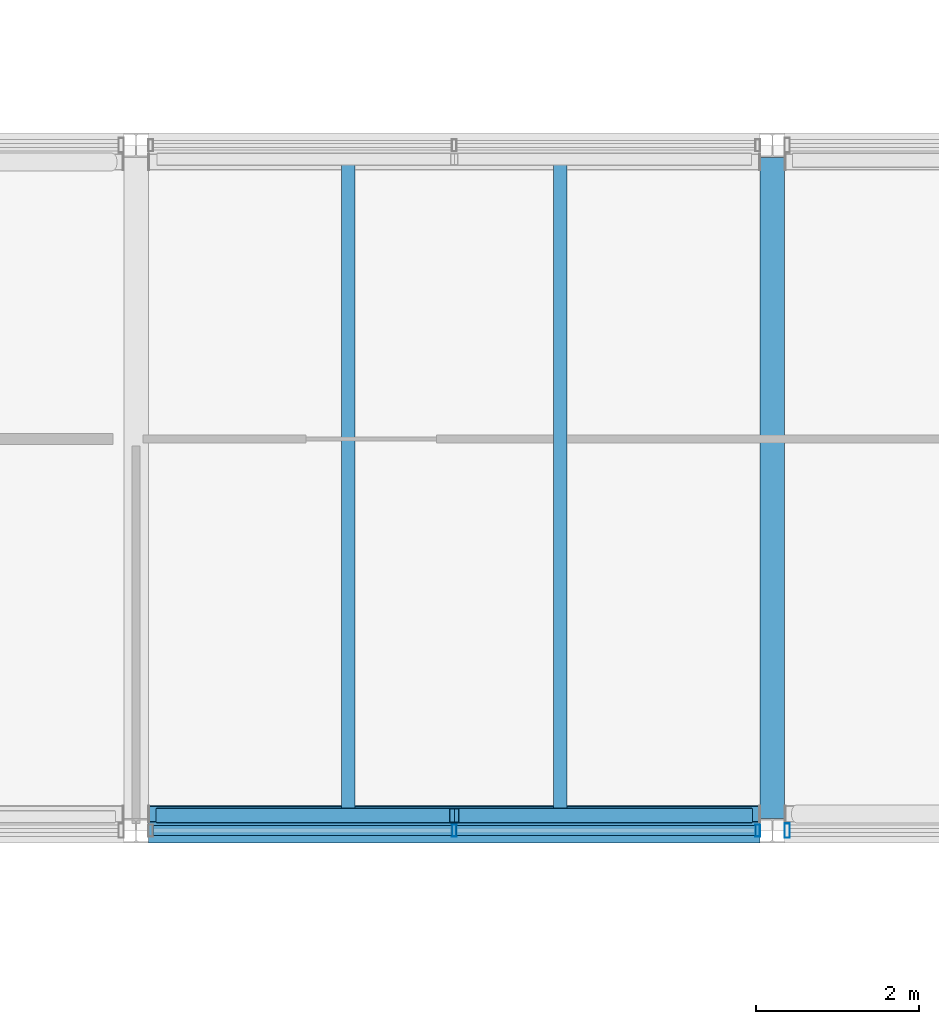
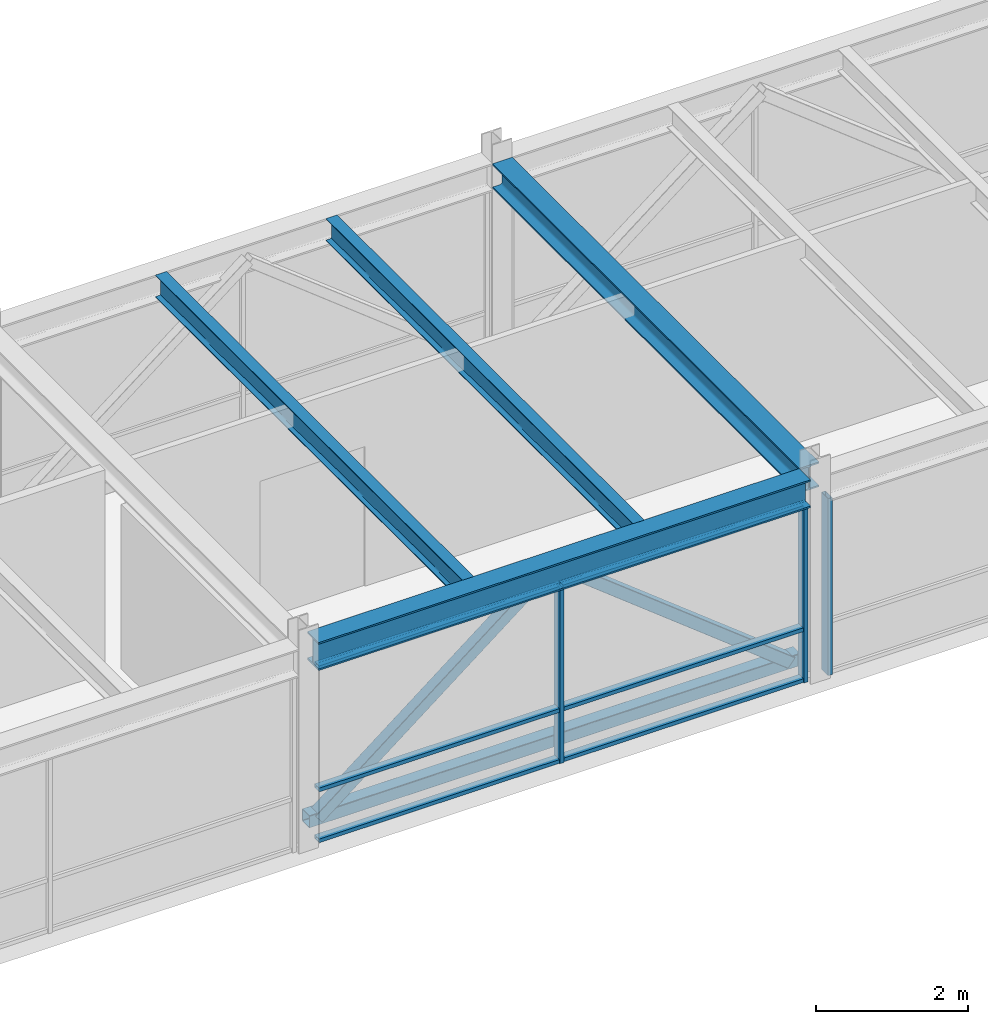
# One storey, part 16 of 49: 12 members, 4 beams, 2 elements without a shape of their own.
"""IFC4 building model written with IfcOpenShell, lengths in metres."""

from ifc_helpers import new_model, si_unit, direction, frame, origin, origin_2d, place, context, subcontext, project, spatial, hollow_rectangle, i_section, extrude, material, material_profile, profile_set, type_object, element, aggregate, save


model = new_model("IFC4")

# Units and contexts
model_context = context("Model", 3, precision=1e-05, world=origin(), true_north=direction((0.0, 1.0)))
body_context = subcontext(model_context, "Body", "Model", "MODEL_VIEW")
ifc_project = project(units=[si_unit("LENGTHUNIT", "METRE"), si_unit("AREAUNIT", "SQUARE_METRE"), si_unit("VOLUMEUNIT", "CUBIC_METRE"), si_unit("PLANEANGLEUNIT", "RADIAN"), si_unit("MASSUNIT", "GRAM", prefix="KILO"), si_unit("THERMODYNAMICTEMPERATUREUNIT", "KELVIN"), si_unit("POWERUNIT", "WATT")], contexts=[model_context])

# Site, building, storey
site_placement = place(None, origin())
site = spatial("IfcSite", under=ifc_project, at=site_placement, CompositionType="ELEMENT")
building_placement = place(site_placement, origin())
building = spatial("IfcBuilding", under=site, at=building_placement, Name="Srebrne Nadtorze General Hospital", CompositionType="ELEMENT")
storey_placement = place(building_placement, frame((0.0, 0.0, 26.10009765625)))
storey = spatial("IfcBuildingStorey", under=building, at=storey_placement, Name="L06", CompositionType="ELEMENT", Elevation=26.10009765625)

# Beams
ifc_material_1 = material(Name="Steel S355J2", Category="steel")
ifc_material_profile_1 = material_profile(ifc_material_1, i_section(OverallWidth=0.300048828125, OverallDepth=0.39990234375, WebThickness=0.013427734375, FlangeThickness=0.02392578125, FilletRadius=0.027099609375, at=origin_2d()), Name="HEB-400")
ifc_profile_set_1 = profile_set([ifc_material_profile_1], Name="Steel S355J2")
beam_type_1 = type_object("IfcBeamType", Name="Courtyard bridge girder HEB 400", PredefinedType="BEAM", material=ifc_profile_set_1)
beam_1_placement = place(storey_placement, frame((78.0, 50.550048828125, 3.099853515625), z_axis=(0.0, 1.0, 0.0), x_axis=(-1.0, 0.0, 0.0)))
element("IfcBeam", 1, at=beam_1_placement, inside=storey, type_object=beam_type_1, Name="Beam BM-L06-Y-1219", PredefinedType="BEAM", context=body_context, shape_type="SweptSolid", body=[
    extrude(i_section(OverallWidth=0.300048828125, OverallDepth=0.39990234375, WebThickness=0.013427734375, FlangeThickness=0.02392578125, FilletRadius=0.027099609375, at=origin_2d()), origin(), (0.0, 0.0, 1.0), 8.099853515625),
])
ifc_material_2 = material(Name="Steel S355J2", Category="steel")
ifc_material_profile_2 = material_profile(ifc_material_2, i_section(OverallWidth=0.300048828125, OverallDepth=0.449951171875, WebThickness=0.013916015625, FlangeThickness=0.02587890625, FilletRadius=0.027099609375, at=origin_2d()), Name="HEB-450")
ifc_profile_set_2 = profile_set([ifc_material_profile_2], Name="Steel S355J2")
beam_type_2 = type_object("IfcBeamType", Name="Courtyard bridge girder HEB 450", PredefinedType="BEAM", material=ifc_profile_set_2)
beam_2_placement = place(storey_placement, frame((70.35009765625, 50.39990234375, 3.074951171875), z_axis=(1.0, 0.0, 0.0), x_axis=(0.0, 1.0, 0.0)))
element("IfcBeam", 2, at=beam_2_placement, inside=storey, type_object=beam_type_2, Name="Beam BM-L06-X-1156", PredefinedType="BEAM", context=body_context, shape_type="SweptSolid", body=[
    extrude(i_section(OverallWidth=0.300048828125, OverallDepth=0.449951171875, WebThickness=0.013916015625, FlangeThickness=0.02587890625, FilletRadius=0.027099609375, at=origin_2d()), origin(), (0.0, 0.0, 1.0), 7.5),
])

# Curtain wall, members
ifc_material_3 = material(Name="Anodised Aluminium", Category="aluminium")
curtain_wall_type = type_object("IfcCurtainWallType", Name="Bridge curtain wall 7500x2850", PredefinedType="NOTDEFINED", material=ifc_material_3)
curtain_wall_1_placement = place(storey_placement, origin())
curtain_wall_1 = element("IfcCurtainWall", 3, at=curtain_wall_1_placement, inside=storey, type_object=curtain_wall_type, Name="Curtain wall CW-140", PredefinedType="NOTDEFINED")
ifc_material_4 = material(Name="Anodised Aluminium", Category="aluminium")
ifc_material_profile_3 = material_profile(ifc_material_4, hollow_rectangle(XDim=0.06005859375, YDim=0.14990234375, WallThickness=0.00390625, at=origin_2d()), Name="AL-MUL-60x150")
ifc_profile_set_3 = profile_set([ifc_material_profile_3], Name="Anodised Aluminium")
member_type_1 = type_object("IfcMemberType", Name="Curtain mullion 60x150", PredefinedType="MULLION", material=ifc_profile_set_3)
member_1_placement = place(storey_placement, frame((74.10009765625, 50.39990234375, 0.0), z_axis=(0.0, 0.0, 1.0), x_axis=(1.0, 0.0, 0.0)))
member_1 = element("IfcMember", 4, at=member_1_placement, type_object=member_type_1, Name="CW-140 mullion 2", PredefinedType="MULLION", context=body_context, shape_type="SweptSolid", body=[
    extrude(hollow_rectangle(XDim=0.06005859375, YDim=0.14990234375, WallThickness=0.00390625, at=origin_2d()), origin(), (0.0, 0.0, 1.0), 2.849853515625),
])
member_2_placement = place(storey_placement, frame((77.820068359375, 50.39990234375, 0.0), z_axis=(0.0, 0.0, 1.0), x_axis=(1.0, 0.0, 0.0)))
member_2 = element("IfcMember", 5, at=member_2_placement, type_object=member_type_1, Name="CW-140 mullion 3", PredefinedType="MULLION", context=body_context, shape_type="SweptSolid", body=[
    extrude(hollow_rectangle(XDim=0.06005859375, YDim=0.14990234375, WallThickness=0.00390625, at=origin_2d()), origin(), (0.0, 0.0, 1.0), 2.849853515625),
])

# Curtain wall, member
curtain_wall_2_placement = place(storey_placement, origin())
curtain_wall_2 = element("IfcCurtainWall", 6, at=curtain_wall_2_placement, inside=storey, type_object=curtain_wall_type, Name="Curtain wall CW-141", PredefinedType="NOTDEFINED")
ifc_material_5 = material(Name="Anodised Aluminium", Category="aluminium")
ifc_material_profile_4 = material_profile(ifc_material_5, hollow_rectangle(XDim=0.06494140625, YDim=0.179931640625, WallThickness=0.00390625, at=origin_2d()), Name="AL-MUL-65x180")
ifc_profile_set_4 = profile_set([ifc_material_profile_4], Name="Anodised Aluminium")
member_type_2 = type_object("IfcMemberType", Name="Curtain mullion 65x180", PredefinedType="MULLION", material=ifc_profile_set_4)
member_3_placement = place(storey_placement, frame((78.1826171875, 50.39990234375, 0.0), z_axis=(0.0, 0.0, 1.0), x_axis=(1.0, 0.0, 0.0)))
member_3 = element("IfcMember", 7, at=member_3_placement, type_object=member_type_2, Name="CW-141 mullion 1", PredefinedType="MULLION", context=body_context, shape_type="SweptSolid", body=[
    extrude(hollow_rectangle(XDim=0.06494140625, YDim=0.179931640625, WallThickness=0.00390625, at=origin_2d()), origin(), (0.0, 0.0, 1.0), 2.849853515625),
])
aggregate(curtain_wall_2, [member_3])

# Member
ifc_material_6 = material(Name="Anodised Aluminium", Category="aluminium")
ifc_material_profile_5 = material_profile(ifc_material_6, hollow_rectangle(XDim=0.06005859375, YDim=0.1201171875, WallThickness=0.00390625, at=origin_2d()), Name="AL-TRN-60x120")
ifc_profile_set_5 = profile_set([ifc_material_profile_5], Name="Anodised Aluminium")
member_type_3 = type_object("IfcMemberType", Name="Curtain transom 60x120", PredefinedType="USERDEFINED", material=ifc_profile_set_5)
member_4_placement = place(storey_placement, frame((70.409912109375, 50.39990234375, 0.02978515625), z_axis=(1.0, 0.0, 0.0), x_axis=(0.0, 0.0, 1.0)))
member_4 = element("IfcMember", 8, at=member_4_placement, type_object=member_type_3, Name="CW-140 transom 1.1", ObjectType="TRANSOM", PredefinedType="USERDEFINED", context=body_context, shape_type="SweptSolid", body=[
    extrude(hollow_rectangle(XDim=0.06005859375, YDim=0.1201171875, WallThickness=0.00390625, at=origin_2d()), origin(), (0.0, 0.0, 1.0), 3.66015625),
])

member_5_placement = place(storey_placement, frame((70.409912109375, 50.39990234375, 0.849853515625), z_axis=(1.0, 0.0, 0.0), x_axis=(0.0, 0.0, 1.0)))
member_5 = element("IfcMember", 9, at=member_5_placement, type_object=member_type_3, Name="CW-140 transom 1.2", ObjectType="TRANSOM", PredefinedType="USERDEFINED", context=body_context, shape_type="SweptSolid", body=[
    extrude(hollow_rectangle(XDim=0.06005859375, YDim=0.1201171875, WallThickness=0.00390625, at=origin_2d()), origin(), (0.0, 0.0, 1.0), 3.66015625),
])

member_6_placement = place(storey_placement, frame((70.409912109375, 50.39990234375, 2.81982421875), z_axis=(1.0, 0.0, 0.0), x_axis=(0.0, 0.0, 1.0)))
member_6 = element("IfcMember", 10, at=member_6_placement, type_object=member_type_3, Name="CW-140 transom 1.3", ObjectType="TRANSOM", PredefinedType="USERDEFINED", context=body_context, shape_type="SweptSolid", body=[
    extrude(hollow_rectangle(XDim=0.06005859375, YDim=0.1201171875, WallThickness=0.00390625, at=origin_2d()), origin(), (0.0, 0.0, 1.0), 3.66015625),
])

member_7_placement = place(storey_placement, frame((74.1298828125, 50.39990234375, 0.02978515625), z_axis=(1.0, 0.0, 0.0), x_axis=(0.0, 0.0, 1.0)))
member_7 = element("IfcMember", 11, at=member_7_placement, type_object=member_type_3, Name="CW-140 transom 2.1", ObjectType="TRANSOM", PredefinedType="USERDEFINED", context=body_context, shape_type="SweptSolid", body=[
    extrude(hollow_rectangle(XDim=0.06005859375, YDim=0.1201171875, WallThickness=0.00390625, at=origin_2d()), origin(), (0.0, 0.0, 1.0), 3.66015625),
])

member_8_placement = place(storey_placement, frame((74.1298828125, 50.39990234375, 0.849853515625), z_axis=(1.0, 0.0, 0.0), x_axis=(0.0, 0.0, 1.0)))
member_8 = element("IfcMember", 12, at=member_8_placement, type_object=member_type_3, Name="CW-140 transom 2.2", ObjectType="TRANSOM", PredefinedType="USERDEFINED", context=body_context, shape_type="SweptSolid", body=[
    extrude(hollow_rectangle(XDim=0.06005859375, YDim=0.1201171875, WallThickness=0.00390625, at=origin_2d()), origin(), (0.0, 0.0, 1.0), 3.66015625),
])

member_9_placement = place(storey_placement, frame((74.1298828125, 50.39990234375, 2.81982421875), z_axis=(1.0, 0.0, 0.0), x_axis=(0.0, 0.0, 1.0)))
member_9 = element("IfcMember", 13, at=member_9_placement, type_object=member_type_3, Name="CW-140 transom 2.3", ObjectType="TRANSOM", PredefinedType="USERDEFINED", context=body_context, shape_type="SweptSolid", body=[
    extrude(hollow_rectangle(XDim=0.06005859375, YDim=0.1201171875, WallThickness=0.00390625, at=origin_2d()), origin(), (0.0, 0.0, 1.0), 3.66015625),
])

aggregate(curtain_wall_1, [member_1, member_2, member_4, member_5, member_6, member_7, member_8, member_9])

# Beams
ifc_material_7 = material(Name="Steel S355J2", Category="steel")
ifc_material_profile_6 = material_profile(ifc_material_7, i_section(OverallWidth=0.169921875, OverallDepth=0.360107421875, WebThickness=0.008056640625, FlangeThickness=0.0126953125, FilletRadius=0.01806640625, at=origin_2d()), Name="IPE-360")
ifc_profile_set_6 = profile_set([ifc_material_profile_6], Name="Steel S355J2")
beam_type_3 = type_object("IfcBeamType", Name="Deck joist IPE 360", PredefinedType="JOIST", material=ifc_profile_set_6)
for number, where, z_axis, x_axis, name in (
    (14, (72.800048828125, 50.544921875, 3.119873046875), (0.0, 1.0, 0.0), (-1.0, 0.0, 0.0), "Clinical courtyard bridge deck joist 168"),
    (15, (75.39990234375, 50.544921875, 3.119873046875), (0.0, 1.0, 0.0), (-1.0, 0.0, 0.0), "Clinical courtyard bridge deck joist 169"),
):
    element("IfcBeam", number, at=place(storey_placement, frame(where, z_axis=z_axis, x_axis=x_axis)), inside=storey, type_object=beam_type_3, Name=name, PredefinedType="JOIST", context=body_context, shape_type="SweptSolid", body=[
        extrude(i_section(OverallWidth=0.169921875, OverallDepth=0.360107421875, WebThickness=0.008056640625, FlangeThickness=0.0126953125, FilletRadius=0.01806640625, at=origin_2d()), origin(), (0.0, 0.0, 1.0), 8.110107421875),
    ])

# Members
ifc_material_8 = material(Name="Steel S355J2", Category="steel")
ifc_material_profile_7 = material_profile(ifc_material_8, hollow_rectangle(XDim=0.179931640625, YDim=0.179931640625, WallThickness=0.008056640625, InnerFilletRadius=0.008056640625, OuterFilletRadius=0.011962890625, at=origin_2d()), Name="SHS-180x180x8")
ifc_profile_set_7 = profile_set([ifc_material_profile_7], Name="Steel S355J2")
member_type_4 = type_object("IfcMemberType", Name="Diagonal brace SHS 180x180x8", PredefinedType="BRACE", material=ifc_profile_set_7)
member_10_placement = place(storey_placement, frame((70.5, 50.5849609375, 0.25), z_axis=(0.786192517778, 0.0, 0.61798165425), x_axis=(0.0, 1.0, 0.0)))
element("IfcMember", 16, at=member_10_placement, inside=storey, type_object=member_type_4, Name="Clinical courtyard bridge brace 29", PredefinedType="BRACE", context=body_context, shape_type="SweptSolid", body=[
    extrude(hollow_rectangle(XDim=0.179931640625, YDim=0.179931640625, WallThickness=0.008056640625, InnerFilletRadius=0.008056640625, OuterFilletRadius=0.011962890625, at=origin_2d()), origin(), (0.0, 0.0, 1.0), 4.5791015625),
])
member_11_placement = place(storey_placement, frame((77.699951171875, 50.5849609375, 0.25), z_axis=(-0.786172155182, 0.0, 0.618007558543), x_axis=(0.0, -1.0, 0.0)))
element("IfcMember", 17, at=member_11_placement, inside=storey, type_object=member_type_4, Name="Clinical courtyard bridge brace 30", PredefinedType="BRACE", context=body_context, shape_type="SweptSolid", body=[
    extrude(hollow_rectangle(XDim=0.179931640625, YDim=0.179931640625, WallThickness=0.008056640625, InnerFilletRadius=0.008056640625, OuterFilletRadius=0.011962890625, at=origin_2d()), origin(), (0.0, 0.0, 1.0), 4.578857421875),
])
ifc_material_9 = material(Name="Steel S355J2", Category="steel")
ifc_material_profile_8 = material_profile(ifc_material_9, hollow_rectangle(XDim=0.199951171875, YDim=0.199951171875, WallThickness=0.010009765625, InnerFilletRadius=0.010009765625, OuterFilletRadius=0.014892578125, at=origin_2d()), Name="SHS-200x200x10")
ifc_profile_set_8 = profile_set([ifc_material_profile_8], Name="Steel S355J2")
member_type_5 = type_object("IfcMemberType", Name="Truss chord SHS 200x200x10", PredefinedType="CHORD", material=ifc_profile_set_8)
member_12_placement = place(storey_placement, frame((70.362060546875, 50.60498046875, 0.25), z_axis=(1.0, 0.0, 0.0), x_axis=(0.0, 1.0, 0.0)))
element("IfcMember", 18, at=member_12_placement, inside=storey, type_object=member_type_5, Name="Clinical courtyard bridge truss chord 15", PredefinedType="CHORD", context=body_context, shape_type="SweptSolid", body=[
    extrude(hollow_rectangle(XDim=0.199951171875, YDim=0.199951171875, WallThickness=0.010009765625, InnerFilletRadius=0.010009765625, OuterFilletRadius=0.014892578125, at=origin_2d()), origin(), (0.0, 0.0, 1.0), 7.475830078125),
])

save(model, "model.ifc")
